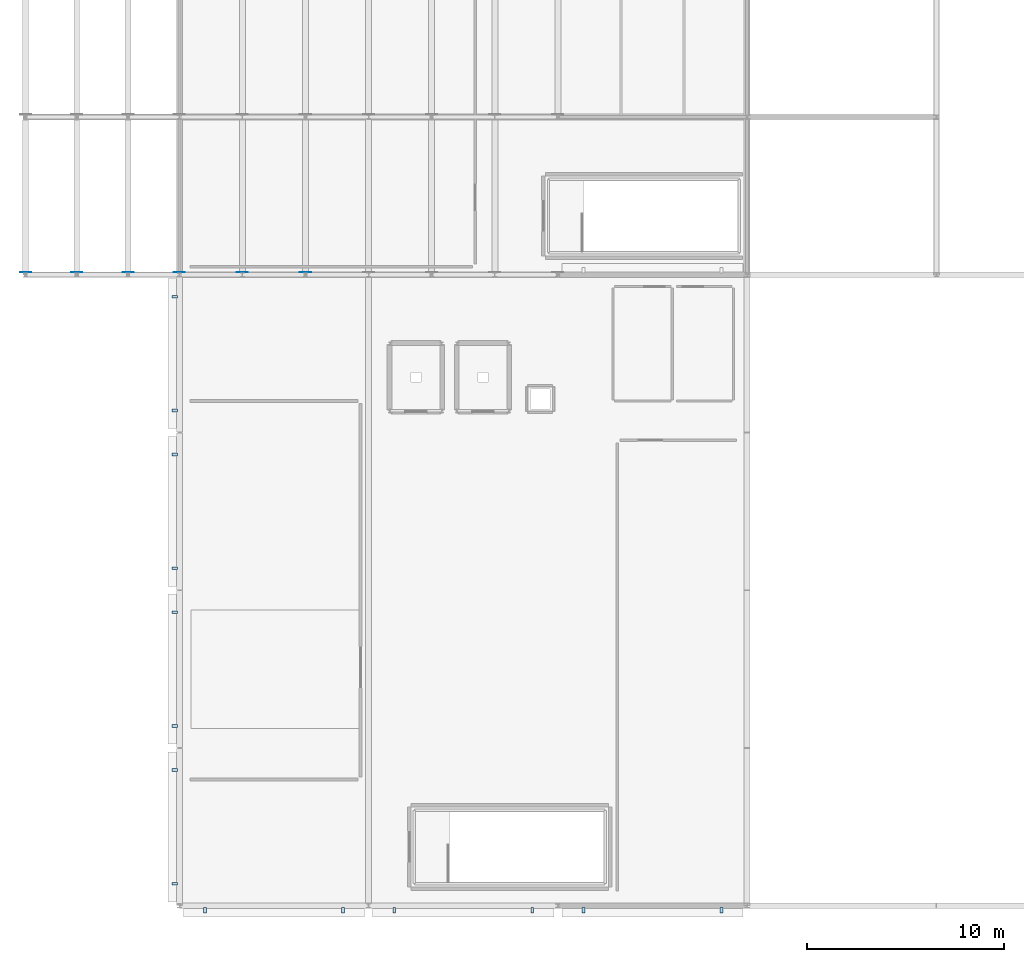
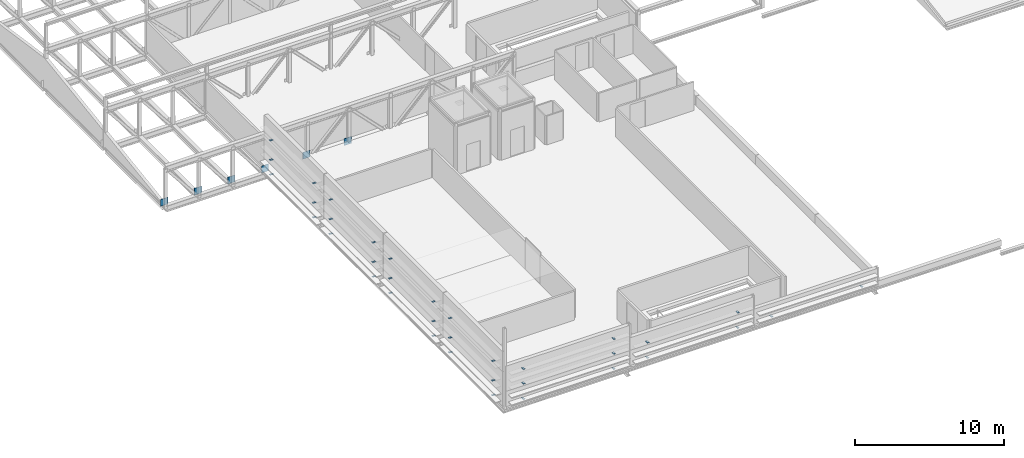
# One storey, part 27 of 34: 42 plates.
"""IFC4 building model written with IfcOpenShell, lengths in metres."""

import ifcopenshell
import ifcopenshell.guid

model = None  # the IFC model being written
_history = None  # IfcOwnerHistory: only IFC2X3 demands one
_inside = {}  # id of a spatial element -> (the spatial element, [elements in it])
_under = {}  # id of a project, library or spatial element -> (it, [spatial elements below it])
_declared = {}  # id of a project -> (the project, [libraries it declares])
_typed = {}  # id of a type object -> (the type object, [elements of that type])
_made_of = {}  # id of a material, layer set ... -> (it, [elements and type objects made of it])


def new_model(schema):
    """Start an empty IFC model of exactly this schema.

    Asked for "IFC4X3", IfcOpenShell would pick the latest addendum, in which some entities
    have other attributes; the version numbers below select the first issue.
    IFC2X3 requires an IfcOwnerHistory on every rooted entity: one is made here for all.
    """
    global model, _history
    if schema == "IFC4X3":
        model = ifcopenshell.file(schema_version=(4, 3, 0, 0))
    else:
        model = ifcopenshell.file(schema=schema)
    _inside.clear()
    _under.clear()
    _declared.clear()
    _typed.clear()
    _made_of.clear()
    _history = None
    if model.schema == "IFC2X3":
        org = make("IfcOrganization", Name="unknown")
        user = make(
            "IfcPersonAndOrganization",
            ThePerson=make("IfcPerson", FamilyName="unknown"),
            TheOrganization=org,
        )
        app = make(
            "IfcApplication",
            ApplicationDeveloper=org,
            Version="unknown",
            ApplicationFullName="unknown",
            ApplicationIdentifier="unknown",
        )
        _history = make(
            "IfcOwnerHistory",
            OwningUser=user,
            OwningApplication=app,
            ChangeAction="ADDED",
            CreationDate=0,
        )
    return model


def make(cls, **values):
    """One entity of the class cls with the attributes given. An attribute that is None is left unset."""
    return model.create_entity(
        cls, **{name: value for name, value in values.items() if value is not None}
    )


def rooted(cls, **values):
    """An entity with a GlobalId (a new one), such as an element, a storey or a relation."""
    return make(cls, GlobalId=ifcopenshell.guid.new(), OwnerHistory=_history, **values)


def si_unit(unit_type, name, prefix=None):
    """IfcSIUnit, for example si_unit("LENGTHUNIT", "METRE", prefix="MILLI")."""
    return make("IfcSIUnit", UnitType=unit_type, Prefix=prefix, Name=name)


def assignment(units):
    """IfcUnitAssignment: the units of a project."""
    return None if units is None else make("IfcUnitAssignment", Units=units)


def point(xyz):
    """IfcCartesianPoint."""
    return None if xyz is None else make("IfcCartesianPoint", Coordinates=xyz)


def direction(xyz):
    """IfcDirection."""
    return None if xyz is None else make("IfcDirection", DirectionRatios=xyz)


def frame(location, z_axis=None, x_axis=None):
    """IfcAxis2Placement3D, a coordinate frame: its origin and axes. An axis left out is left unset."""
    return make(
        "IfcAxis2Placement3D",
        Location=point(location),
        Axis=direction(z_axis),
        RefDirection=direction(x_axis),
    )


def frame_2d(location, x_axis=None):
    """IfcAxis2Placement2D, a coordinate frame in the plane: its origin and x axis."""
    return make(
        "IfcAxis2Placement2D", Location=point(location), RefDirection=direction(x_axis)
    )


def origin():
    """The frame at (0, 0, 0) with its axes left unset."""
    return frame((0.0, 0.0, 0.0))


def origin_2d():
    """The frame at (0, 0) in the plane with its x axis left unset."""
    return frame_2d((0.0, 0.0))


def place(relative_to, where):
    """IfcLocalPlacement: puts the frame where relative to a parent placement (None: the world)."""
    return make(
        "IfcLocalPlacement", PlacementRelTo=relative_to, RelativePlacement=where
    )


def context(
    kind, dimensions, precision=None, world=None, true_north=None, identifier=None
):
    """IfcGeometricRepresentationContext, for example the 3D "Model" context."""
    return make(
        "IfcGeometricRepresentationContext",
        ContextIdentifier=identifier,
        ContextType=kind,
        CoordinateSpaceDimension=dimensions,
        Precision=precision,
        WorldCoordinateSystem=world,
        TrueNorth=true_north,
    )


def subcontext(parent, identifier, kind, view, scale=None):
    """IfcGeometricRepresentationSubContext, for example "Body" below "Model"."""
    return make(
        "IfcGeometricRepresentationSubContext",
        ContextIdentifier=identifier,
        ContextType=kind,
        ParentContext=parent,
        TargetScale=scale,
        TargetView=view,
    )


def project(units=None, contexts=None):
    """IfcProject with its units and contexts."""
    return rooted(
        "IfcProject",
        Name="project",
        RepresentationContexts=contexts,
        UnitsInContext=assignment(units),
    )


def spatial(cls, under=None, at=None, **own):
    """A site, building, storey or space (cls), placed at a placement, below another one or the project."""
    s = rooted(cls, ObjectPlacement=at, **own)
    if under is not None:
        _under.setdefault(under.id(), (under, []))[1].append(s)
    return s


def profile(cls, at=None, kind="AREA", **sizes):
    """A parametric profile (cls). Its sizes go by their IFC names, for example OverallWidth=200.0."""
    return make(cls, ProfileType=kind, Position=at, **sizes)


def rectangle(**sizes):
    """IfcRectangleProfileDef."""
    return profile("IfcRectangleProfileDef", **sizes)


def extrude(swept, where, along, depth):
    """IfcExtrudedAreaSolid: the profile swept, set in the frame where, extruded along a direction by depth."""
    return make(
        "IfcExtrudedAreaSolid",
        SweptArea=swept,
        Position=where,
        ExtrudedDirection=direction(along),
        Depth=depth,
    )


def shape(context_of_items, identifier, shape_type, items):
    """IfcShapeRepresentation: the items that make up one representation, for example the "Body"."""
    return make(
        "IfcShapeRepresentation",
        ContextOfItems=context_of_items,
        RepresentationIdentifier=identifier,
        RepresentationType=shape_type,
        Items=items,
    )


def material(Name=None, Category=None):
    """IfcMaterial."""
    return make("IfcMaterial", Name=Name, Category=Category)


def layer(
    of_material, thickness, ventilated=None, Name=None, Category=None, Priority=None
):
    """IfcMaterialLayer: one layer of a wall or slab, of a material (None: an air gap)."""
    return make(
        "IfcMaterialLayer",
        Material=of_material,
        LayerThickness=thickness,
        IsVentilated=ventilated,
        Name=Name,
        Category=Category,
        Priority=Priority,
    )


def layer_set(layers, Name=None):
    """IfcMaterialLayerSet."""
    return make("IfcMaterialLayerSet", MaterialLayers=layers, LayerSetName=Name)


def made_of(thing, what):
    """Note that an element or type object is made of a material, layer set ...; save() writes the relation."""
    if what is not None:
        _made_of.setdefault(what.id(), (what, []))[1].append(thing)
    return thing


def type_object(cls, material=None, **own):
    """A type object (cls), such as IfcWallType, which elements share."""
    return made_of(rooted(cls, **own), material)


def element(
    cls,
    number,
    at=None,
    inside=None,
    cuts=None,
    type_object=None,
    material=None,
    context=None,
    identifier="Body",
    shape_type=None,
    held_by="IfcProductDefinitionShape",
    body=None,
    shapes=None,
    **own,
):
    """One element of the class cls, such as IfcWall. Its Tag is "e" and its number.

    at: its placement. inside: the storey or other place that contains it. cuts: it is an
    opening in that element (IfcRelVoidsElement). A single representation is given by context,
    identifier, shape_type and body (its items); several are given by shapes. held_by: the class
    of the entity that holds the representations. save() writes the other relations.
    """
    e = rooted(cls, Tag="e%d" % number, ObjectPlacement=at, **own)
    if body is not None:
        shapes = [shape(context, identifier, shape_type, body)]
    if shapes is not None:
        e.Representation = make(held_by, Representations=shapes)
    if inside is not None:
        _inside.setdefault(inside.id(), (inside, []))[1].append(e)
    if cuts is not None:
        rooted(
            "IfcRelVoidsElement", RelatingBuildingElement=cuts, RelatedOpeningElement=e
        )
    if type_object is not None:
        _typed.setdefault(type_object.id(), (type_object, []))[1].append(e)
    return made_of(e, material)


def aggregate(whole, parts):
    """IfcRelAggregates: a whole, such as a stair, and the parts it consists of."""
    return rooted("IfcRelAggregates", RelatingObject=whole, RelatedObjects=parts)


def save(model, path):
    """Write the relations noted so far, then the file.

    IfcRelAggregates (storeys below a building ...), IfcRelContainedInSpatialStructure (elements
    in a storey), IfcRelDefinesByType, IfcRelAssociatesMaterial and IfcRelDeclares: one each for
    every whole, place, type object, material and project.
    """
    for whole, parts in _under.values():
        aggregate(whole, parts)
    for where, things in _inside.values():
        rooted(
            "IfcRelContainedInSpatialStructure",
            RelatedElements=things,
            RelatingStructure=where,
        )
    for kind, things in _typed.values():
        rooted("IfcRelDefinesByType", RelatedObjects=things, RelatingType=kind)
    for what, things in _made_of.values():
        rooted("IfcRelAssociatesMaterial", RelatedObjects=things, RelatingMaterial=what)
    for by, libraries in _declared.values():
        rooted("IfcRelDeclares", RelatingContext=by, RelatedDefinitions=libraries)
    model.write(path)


model = new_model("IFC4")

# Units and contexts
model_context = context("Model", 3, precision=1e-05, world=origin(), true_north=direction((0.0, 1.0)))
body_context = subcontext(model_context, "Body", "Model", "MODEL_VIEW")
ifc_project = project(units=[si_unit("LENGTHUNIT", "METRE"), si_unit("AREAUNIT", "SQUARE_METRE"), si_unit("VOLUMEUNIT", "CUBIC_METRE"), si_unit("PLANEANGLEUNIT", "RADIAN"), si_unit("MASSUNIT", "GRAM", prefix="KILO")], contexts=[model_context])

# Site, building, storey
site_placement = place(None, origin())
site = spatial("IfcSite", under=ifc_project, at=site_placement, CompositionType="ELEMENT")
building_placement = place(site_placement, origin())
building = spatial("IfcBuilding", under=site, at=building_placement, Name="Alderhovde Museum", CompositionType="ELEMENT")
storey_placement = place(building_placement, frame((0.0, 0.0, 25.800048828125)))
storey = spatial("IfcBuildingStorey", under=building, at=storey_placement, Name="L05", CompositionType="ELEMENT", Elevation=25.800048828125)

# Plates
ifc_material_1 = material(Name="Steel S355J2", Category="steel")
ifc_layer_1 = layer(ifc_material_1, 0.02001953125)
ifc_layer_set_1 = layer_set([ifc_layer_1], Name="Steel S355J2")
plate_type_1 = type_object("IfcPlateType", Name="LV-BRACKET", PredefinedType="USERDEFINED", material=ifc_layer_set_1)
for number, where, z_axis, x_axis, name in (
    (1, (10.904052734375, 47.77001953125, 1.5400390625), (0.0, 0.0, 1.0), (1.0, 0.0, 0.0), "L05 Louvre Support Bracket 1-1"),
    (2, (17.89599609375, 47.77001953125, 1.5400390625), (0.0, 0.0, 1.0), (1.0, 0.0, 0.0), "L05 Louvre Support Bracket 1-2"),
    (3, (10.904052734375, 47.77001953125, 2.739990234375), (0.0, 0.0, 1.0), (1.0, 0.0, 0.0), "L05 Louvre Support Bracket 3-1"),
    (4, (17.89599609375, 47.77001953125, 2.739990234375), (0.0, 0.0, 1.0), (1.0, 0.0, 0.0), "L05 Louvre Support Bracket 3-2"),
    (5, (20.50390625, 47.77001953125, 1.5400390625), (0.0, 0.0, 1.0), (1.0, 0.0, 0.0), "L05 Louvre Support Bracket 4-1"),
    (6, (27.49609375, 47.77001953125, 1.5400390625), (0.0, 0.0, 1.0), (1.0, 0.0, 0.0), "L05 Louvre Support Bracket 4-2"),
    (7, (9.3701171875, 49.112060546875, 0.2900390625), (0.0, 0.0, 1.0), (0.0, 1.0, 0.0), "L05 Louvre Support Bracket 319-1"),
    (8, (9.3701171875, 54.887939453125, 0.2900390625), (0.0, 0.0, 1.0), (0.0, 1.0, 0.0), "L05 Louvre Support Bracket 319-2"),
    (9, (9.3701171875, 49.112060546875, 1.489990234375), (0.0, 0.0, 1.0), (0.0, 1.0, 0.0), "L05 Louvre Support Bracket 321-1"),
    (10, (9.3701171875, 54.887939453125, 1.489990234375), (0.0, 0.0, 1.0), (0.0, 1.0, 0.0), "L05 Louvre Support Bracket 321-2"),
    (11, (9.3701171875, 57.112060546875, 0.2900390625), (0.0, 0.0, 1.0), (0.0, 1.0, 0.0), "L05 Louvre Support Bracket 323-1"),
    (12, (9.3701171875, 62.887939453125, 0.2900390625), (0.0, 0.0, 1.0), (0.0, 1.0, 0.0), "L05 Louvre Support Bracket 323-2"),
    (13, (9.3701171875, 57.112060546875, 1.489990234375), (0.0, 0.0, 1.0), (0.0, 1.0, 0.0), "L05 Louvre Support Bracket 325-1"),
    (14, (9.3701171875, 62.887939453125, 1.489990234375), (0.0, 0.0, 1.0), (0.0, 1.0, 0.0), "L05 Louvre Support Bracket 325-2"),
    (15, (9.3701171875, 65.112060546875, 0.2900390625), (0.0, 0.0, 1.0), (0.0, 1.0, 0.0), "L05 Louvre Support Bracket 327-1"),
    (16, (9.3701171875, 70.887939453125, 0.2900390625), (0.0, 0.0, 1.0), (0.0, 1.0, 0.0), "L05 Louvre Support Bracket 327-2"),
    (17, (9.3701171875, 65.112060546875, 1.489990234375), (0.0, 0.0, 1.0), (0.0, 1.0, 0.0), "L05 Louvre Support Bracket 329-1"),
    (18, (9.3701171875, 70.887939453125, 1.489990234375), (0.0, 0.0, 1.0), (0.0, 1.0, 0.0), "L05 Louvre Support Bracket 329-2"),
    (19, (9.3701171875, 73.112060546875, 0.2900390625), (0.0, 0.0, 1.0), (0.0, 1.0, 0.0), "L05 Louvre Support Bracket 331-1"),
    (20, (9.3701171875, 78.887939453125, 0.2900390625), (0.0, 0.0, 1.0), (0.0, 1.0, 0.0), "L05 Louvre Support Bracket 331-2"),
    (21, (9.3701171875, 73.112060546875, 1.489990234375), (0.0, 0.0, 1.0), (0.0, 1.0, 0.0), "L05 Louvre Support Bracket 333-1"),
    (22, (9.3701171875, 78.887939453125, 1.489990234375), (0.0, 0.0, 1.0), (0.0, 1.0, 0.0), "L05 Louvre Support Bracket 333-2"),
    (23, (9.3701171875, 49.112060546875, 3.08984375), (0.0, 0.0, 1.0), (0.0, 1.0, 0.0), "L05 Louvre Support Bracket 335-1"),
    (24, (9.3701171875, 54.887939453125, 3.08984375), (0.0, 0.0, 1.0), (0.0, 1.0, 0.0), "L05 Louvre Support Bracket 335-2"),
    (25, (9.3701171875, 57.112060546875, 3.08984375), (0.0, 0.0, 1.0), (0.0, 1.0, 0.0), "L05 Louvre Support Bracket 337-1"),
    (26, (9.3701171875, 62.887939453125, 3.08984375), (0.0, 0.0, 1.0), (0.0, 1.0, 0.0), "L05 Louvre Support Bracket 337-2"),
    (27, (9.3701171875, 65.112060546875, 3.08984375), (0.0, 0.0, 1.0), (0.0, 1.0, 0.0), "L05 Louvre Support Bracket 339-1"),
    (28, (9.3701171875, 70.887939453125, 3.08984375), (0.0, 0.0, 1.0), (0.0, 1.0, 0.0), "L05 Louvre Support Bracket 339-2"),
    (29, (9.3701171875, 73.112060546875, 3.08984375), (0.0, 0.0, 1.0), (0.0, 1.0, 0.0), "L05 Louvre Support Bracket 341-1"),
    (30, (9.3701171875, 78.887939453125, 3.08984375), (0.0, 0.0, 1.0), (0.0, 1.0, 0.0), "L05 Louvre Support Bracket 341-2"),
    (31, (10.904052734375, 47.77001953125, 0.2900390625), (0.0, 0.0, 1.0), (1.0, 0.0, 0.0), "L05 Louvre Support Bracket 343-1"),
    (32, (17.89599609375, 47.77001953125, 0.2900390625), (0.0, 0.0, 1.0), (1.0, 0.0, 0.0), "L05 Louvre Support Bracket 343-2"),
    (33, (20.50390625, 47.77001953125, 0.2900390625), (0.0, 0.0, 1.0), (1.0, 0.0, 0.0), "L05 Louvre Support Bracket 345-1"),
    (34, (27.49609375, 47.77001953125, 0.2900390625), (0.0, 0.0, 1.0), (1.0, 0.0, 0.0), "L05 Louvre Support Bracket 345-2"),
    (35, (30.10400390625, 47.77001953125, 0.2900390625), (0.0, 0.0, 1.0), (1.0, 0.0, 0.0), "L05 Louvre Support Bracket 347-1"),
    (36, (37.095947265625, 47.77001953125, 0.2900390625), (0.0, 0.0, 1.0), (1.0, 0.0, 0.0), "L05 Louvre Support Bracket 347-2"),
):
    element("IfcPlate", number, at=place(storey_placement, frame(where, z_axis=z_axis, x_axis=x_axis)), inside=storey, type_object=plate_type_1, Name=name, ObjectType="BRACKET PLATE", PredefinedType="USERDEFINED", context=body_context, shape_type="SweptSolid", body=[
        extrude(rectangle(XDim=0.139892578125, YDim=0.260009765625, at=origin_2d()), origin(), (0.0, 0.0, 1.0), 0.02001953125),
    ])
ifc_material_2 = material(Name="Steel S355J2", Category="steel")
ifc_layer_2 = layer(ifc_material_2, 0.02197265625)
ifc_layer_set_2 = layer_set([ifc_layer_2], Name="Steel S355J2")
plate_type_2 = type_object("IfcPlateType", Name="PLT-GUSSET-22", PredefinedType="USERDEFINED", material=ifc_layer_set_2)
for number, where, z_axis, x_axis, name in (
    (37, (1.800048828125, 80.1298828125, -0.340087890625), (0.0, 0.0, 1.0), (1.0, 0.0, 0.0), "Transfer Truss Gusset Plate Y=80 T3-1"),
    (38, (4.39990234375, 80.1298828125, -0.340087890625), (0.0, 0.0, 1.0), (1.0, 0.0, 0.0), "Transfer Truss Gusset Plate Y=80 T3-2"),
    (39, (7.0, 80.1298828125, -0.340087890625), (0.0, 0.0, 1.0), (1.0, 0.0, 0.0), "Transfer Truss Gusset Plate Y=80 T3-3"),
    (40, (9.60009765625, 80.1298828125, -0.340087890625), (0.0, 0.0, 1.0), (1.0, 0.0, 0.0), "Transfer Truss Gusset Plate Y=80 T3-4"),
    (41, (12.800048828125, 80.1298828125, -0.340087890625), (0.0, 0.0, 1.0), (1.0, 0.0, 0.0), "Transfer Truss Gusset Plate Y=80 T3-5"),
    (42, (16.0, 80.1298828125, -0.340087890625), (0.0, 0.0, 1.0), (1.0, 0.0, 0.0), "Transfer Truss Gusset Plate Y=80 T3-6"),
):
    element("IfcPlate", number, at=place(storey_placement, frame(where, z_axis=z_axis, x_axis=x_axis)), inside=storey, type_object=plate_type_2, Name=name, ObjectType="GUSSET PLATE", PredefinedType="USERDEFINED", context=body_context, shape_type="SweptSolid", body=[
        extrude(rectangle(XDim=0.56005859375, YDim=0.02197265625, at=origin_2d()), origin(), (0.0, 0.0, 1.0), 0.56005859375),
    ])

save(model, "model.ifc")
